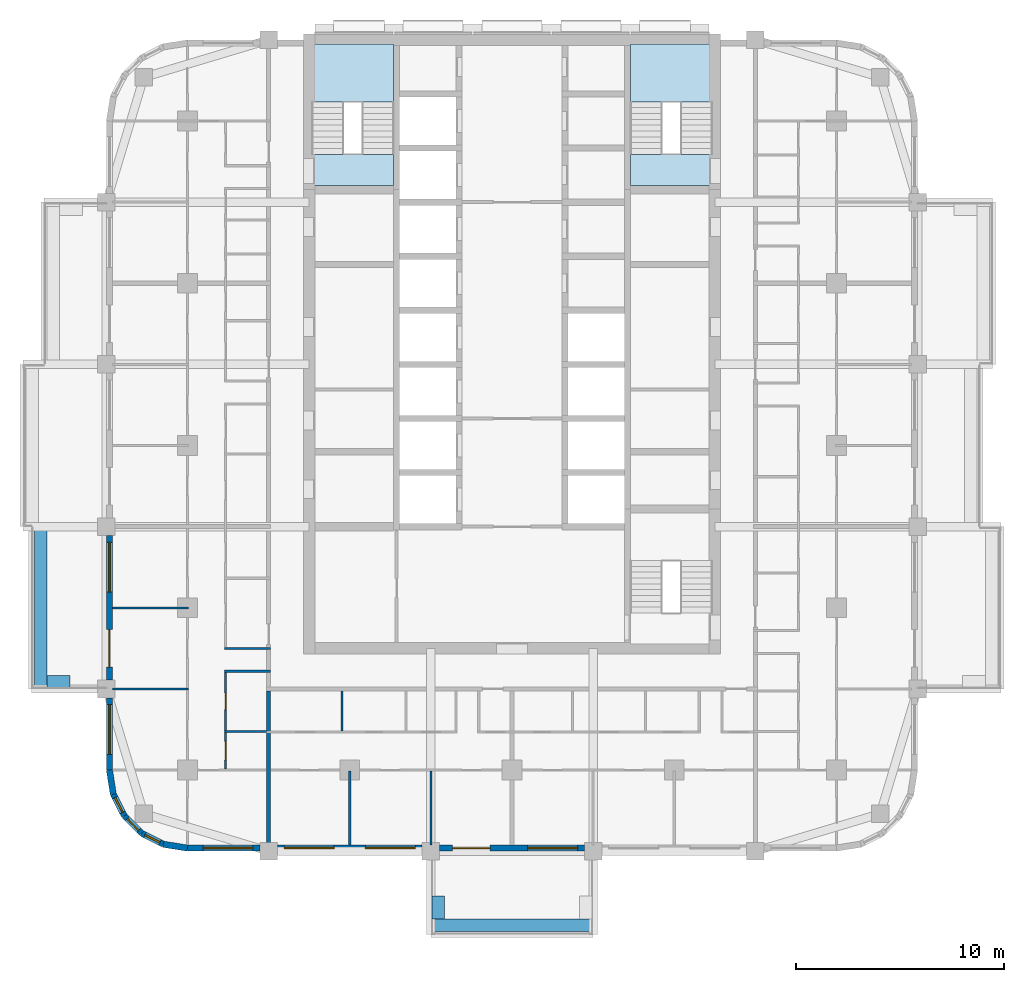
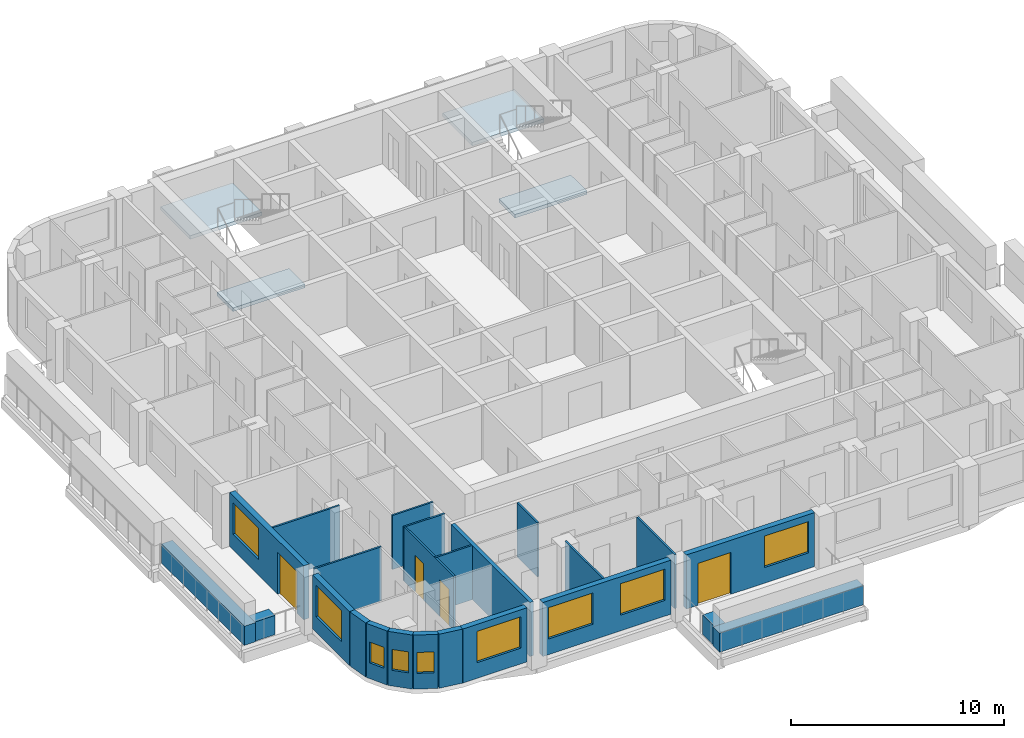
# One storey, part 2 of 14: 24 walls, 9 windows, 4 doors, 4 slabs, 13 openings, 2 elements without a shape of their own.
"""IFC4 building model written with IfcOpenShell, lengths in metres."""

from ifc_helpers import new_model, si_unit, direction, frame, frame_2d, origin, place, context, subcontext, project, spatial, polyline, rectangle, outline, extrude, material, layer, layer_set, type_object, element, fill, aggregate, save


model = new_model("IFC4")

# Units and contexts
model_context = context("Model", 3, precision=1e-05, world=origin(), true_north=direction((0.0, 1.0)))
body_context = subcontext(model_context, "Body", "Model", "MODEL_VIEW")
ifc_project = project(units=[si_unit("LENGTHUNIT", "METRE"), si_unit("AREAUNIT", "SQUARE_METRE"), si_unit("VOLUMEUNIT", "CUBIC_METRE"), si_unit("PLANEANGLEUNIT", "RADIAN"), si_unit("MASSUNIT", "GRAM", prefix="KILO")], contexts=[model_context])

# Site, building, storey
site_placement = place(None, origin())
site = spatial("IfcSite", under=ifc_project, at=site_placement, CompositionType="ELEMENT")
building_placement = place(site_placement, origin())
building = spatial("IfcBuilding", under=site, at=building_placement, Name="Ludao Terraces", CompositionType="ELEMENT")
storey_placement = place(building_placement, frame((0.0, 0.0, 113.5)))
storey = spatial("IfcBuildingStorey", under=building, at=storey_placement, Name="L31", CompositionType="ELEMENT", Elevation=113.5)

# Stair, slabs
ifc_material_1 = material(Name="Concrete C40", Category="concrete")
stair_type = type_object("IfcStairType", Name="INT Stair", PredefinedType="HALF_TURN_STAIR", material=ifc_material_1)
stair_1_placement = place(storey_placement, origin())
stair_1 = element("IfcStair", 1, at=stair_1_placement, inside=storey, type_object=stair_type, Name="EXIT STAIR 1", PredefinedType="HALF_TURN_STAIR")
ifc_layer_1 = layer(ifc_material_1, 0.199951171875)
ifc_layer_set_1 = layer_set([ifc_layer_1], Name="INT Stair landing 200")
slab_type = type_object("IfcSlabType", Name="INT Stair landing 200", PredefinedType="LANDING", material=ifc_layer_set_1)
slab_1_placement = place(storey_placement, frame((0.0, 0.0, 1.5)))
slab_1 = element("IfcSlab", 2, at=slab_1_placement, type_object=slab_type, Name="ST1 landing 1", PredefinedType="LANDING", context=body_context, shape_type="SweptSolid", body=[
    extrude(outline(polyline([(75.39990234375, 81.52001953125), (79.300048828125, 81.52001953125), (79.300048828125, 84.300048828125), (75.39990234375, 84.300048828125), (75.39990234375, 81.52001953125)])), origin(), (0.0, 0.0, 1.0), 0.199951171875),
])
slab_2_placement = place(storey_placement, frame((0.0, 0.0, -0.199951171875)))
slab_2 = element("IfcSlab", 3, at=slab_2_placement, type_object=slab_type, Name="ST1 landing 2", PredefinedType="LANDING", context=body_context, shape_type="SweptSolid", body=[
    extrude(outline(polyline([(75.39990234375, 77.5), (79.300048828125, 77.5), (79.300048828125, 79.0), (75.39990234375, 79.0), (75.39990234375, 77.5)])), origin(), (0.0, 0.0, 1.0), 0.199951171875),
])
aggregate(stair_1, [slab_1, slab_2])

stair_2_placement = place(storey_placement, origin())
stair_2 = element("IfcStair", 4, at=stair_2_placement, inside=storey, type_object=stair_type, Name="EXIT STAIR 2", PredefinedType="HALF_TURN_STAIR")
slab_3_placement = place(storey_placement, frame((0.0, 0.0, 1.5)))
slab_3 = element("IfcSlab", 5, at=slab_3_placement, type_object=slab_type, Name="ST2 landing 1", PredefinedType="LANDING", context=body_context, shape_type="SweptSolid", body=[
    extrude(outline(polyline([(90.699951171875, 81.52001953125), (94.60009765625, 81.52001953125), (94.60009765625, 84.300048828125), (90.699951171875, 84.300048828125), (90.699951171875, 81.52001953125)])), origin(), (0.0, 0.0, 1.0), 0.199951171875),
])
slab_4_placement = place(storey_placement, frame((0.0, 0.0, -0.199951171875)))
slab_4 = element("IfcSlab", 6, at=slab_4_placement, type_object=slab_type, Name="ST2 landing 2", PredefinedType="LANDING", context=body_context, shape_type="SweptSolid", body=[
    extrude(outline(polyline([(90.699951171875, 77.5), (94.60009765625, 77.5), (94.60009765625, 79.0), (90.699951171875, 79.0), (90.699951171875, 77.5)])), origin(), (0.0, 0.0, 1.0), 0.199951171875),
])
aggregate(stair_2, [slab_3, slab_4])

# Walls
ifc_layer_2 = layer(ifc_material_1, 0.60009765625)
ifc_layer_set_2 = layer_set([ifc_layer_2], Name="ENV Planter trough 600")
wall_type_1 = type_object("IfcWallType", Name="ENV Planter trough 600", PredefinedType="USERDEFINED", material=ifc_layer_set_2)
wall_1_placement = place(storey_placement, frame((81.10009765625, 41.949951171875, 0.0), z_axis=(0.0, 0.0, 1.0), x_axis=(1.0, 0.0, 0.0)))
element("IfcWall", 7, at=wall_1_placement, inside=storey, type_object=wall_type_1, Name="PL-L31-S1", ObjectType="PLANTER", PredefinedType="USERDEFINED", context=body_context, shape_type="SweptSolid", body=[
    extrude(rectangle(XDim=7.7998046875, YDim=0.60009765625, at=frame_2d((3.89990234375, 0.0))), origin(), (0.0, 0.0, 1.0), 1.10009765625),
])
wall_2_placement = place(storey_placement, frame((81.449951171875, 42.25, 0.0), z_axis=(0.0, 0.0, 1.0), x_axis=(0.0, 1.0, 0.0)))
element("IfcWall", 8, at=wall_2_placement, inside=storey, type_object=wall_type_1, Name="PL-L31-S1-SA", ObjectType="PLANTER", PredefinedType="USERDEFINED", context=body_context, shape_type="SweptSolid", body=[
    extrude(rectangle(XDim=1.10009765625, YDim=0.60009765625, at=frame_2d((0.550048828125, 0.0))), origin(), (0.0, 0.0, 1.0), 1.10009765625),
])
wall_3_placement = place(storey_placement, frame((62.35009765625, 53.300048828125, 0.0), z_axis=(0.0, 0.0, 1.0), x_axis=(0.0, 1.0, 0.0)))
element("IfcWall", 9, at=wall_3_placement, inside=storey, type_object=wall_type_1, Name="PL-L31-W1", ObjectType="PLANTER", PredefinedType="USERDEFINED", context=body_context, shape_type="SweptSolid", body=[
    extrude(rectangle(XDim=7.800048828125, YDim=0.60009765625, at=frame_2d((3.89990234375, 0.0))), origin(), (0.0, 0.0, 1.0), 1.10009765625),
])
wall_4_placement = place(storey_placement, frame((62.64990234375, 53.64990234375, 0.0), z_axis=(0.0, 0.0, 1.0), x_axis=(1.0, 0.0, 0.0)))
element("IfcWall", 10, at=wall_4_placement, inside=storey, type_object=wall_type_1, Name="PL-L31-W1-SA", ObjectType="PLANTER", PredefinedType="USERDEFINED", context=body_context, shape_type="SweptSolid", body=[
    extrude(rectangle(XDim=1.10009765625, YDim=0.60009765625, at=frame_2d((0.550048828125, 0.0))), origin(), (0.0, 0.0, 1.0), 1.10009765625),
])

# Wall, opening, window
ifc_material_2 = material(Name="Granite cladding", Category="masonry")
ifc_layer_3 = layer(ifc_material_2, 0.0400390625, Category="stone")
ifc_material_3 = material(Name="Mineral wool")
ifc_layer_4 = layer(ifc_material_3, 0.06005859375)
ifc_layer_5 = layer(ifc_material_1, 0.199951171875, Category="concrete")
ifc_layer_set_3 = layer_set([ifc_layer_3, ifc_layer_4, ifc_layer_5], Name="ENV Stone-clad wall 300")
wall_type_2 = type_object("IfcWallType", Name="ENV Stone-clad wall 300", PredefinedType="SOLIDWALL", material=ifc_layer_set_3)
wall_5_placement = place(storey_placement, frame((69.39990234375, 45.64990234375, 0.0), z_axis=(0.0, 0.0, 1.0), x_axis=(1.0, 0.0, 0.0)))
wall_5 = element("IfcWall", 11, at=wall_5_placement, inside=storey, type_object=wall_type_2, Name="EW-L31-S1", PredefinedType="SOLIDWALL", context=body_context, shape_type="SweptSolid", body=[
    extrude(rectangle(XDim=3.47509765625, YDim=0.300048828125, at=frame_2d((1.737548828125, 0.0))), origin(), (0.0, 0.0, 1.0), 3.10009765625),
])
opening_1_placement = place(wall_5_placement, frame((0.75, 0.0, 0.89990234375)))
opening_1 = element("IfcOpeningElement", 12, at=opening_1_placement, cuts=wall_5, Name="Opening W1", PredefinedType="OPENING", context=body_context, shape_type="SweptSolid", body=[
    extrude(rectangle(XDim=2.39990234375, YDim=1.800048828125, at=frame_2d((1.199951171875, 0.89990234375))), frame((0.0, 0.16015625, 0.0), z_axis=(0.0, -1.0, 0.0), x_axis=(1.0, 0.0, 0.0)), (0.0, 0.0, 1.0), 0.320068359375),
])
ifc_material_4 = material(Name="Clear glass in aluminium frame", Category="aluminium")
ifc_layer_6 = layer(ifc_material_4, 0.06005859375)
ifc_layer_set_4 = layer_set([ifc_layer_6], Name="ENV Window W1 2400x1800")
window_type_1 = type_object("IfcWindowType", Name="ENV Window W1 2400x1800", PartitioningType="DOUBLE_PANEL_VERTICAL", PredefinedType="WINDOW", material=ifc_layer_set_4)
window_1_placement = place(opening_1_placement, origin())
window_1 = element("IfcWindow", 13, at=window_1_placement, inside=storey, type_object=window_type_1, Name="W-L31-S1-1", OverallHeight=1.800048828125, OverallWidth=2.39990234375, PartitioningType="DOUBLE_PANEL_VERTICAL", PredefinedType="WINDOW", context=body_context, shape_type="SweptSolid", body=[
    extrude(rectangle(XDim=2.39990234375, YDim=1.800048828125, at=frame_2d((1.199951171875, 0.89990234375))), frame((0.0, 0.030029296875, 0.0), z_axis=(0.0, -1.0, 0.0), x_axis=(1.0, 0.0, 0.0)), (0.0, 0.0, 1.0), 0.06005859375),
])
fill(opening_1, window_1)

# Wall, openings, windows
wall_6_placement = place(storey_placement, frame((73.72509765625, 45.64990234375, 0.0), z_axis=(0.0, 0.0, 1.0), x_axis=(1.0, 0.0, 0.0)))
wall_6 = element("IfcWall", 14, at=wall_6_placement, inside=storey, type_object=wall_type_2, Name="EW-L31-S2", PredefinedType="SOLIDWALL", context=body_context, shape_type="SweptSolid", body=[
    extrude(rectangle(XDim=6.949951171875, YDim=0.300048828125, at=frame_2d((3.47509765625, 0.0))), origin(), (0.0, 0.0, 1.0), 3.10009765625),
])
opening_2_placement = place(wall_6_placement, frame((0.324951171875, 0.0, 0.89990234375)))
opening_2 = element("IfcOpeningElement", 15, at=opening_2_placement, cuts=wall_6, Name="Opening W1", PredefinedType="OPENING", context=body_context, shape_type="SweptSolid", body=[
    extrude(rectangle(XDim=2.39990234375, YDim=1.800048828125, at=frame_2d((1.199951171875, 0.89990234375))), frame((0.0, 0.16015625, 0.0), z_axis=(0.0, -1.0, 0.0), x_axis=(1.0, 0.0, 0.0)), (0.0, 0.0, 1.0), 0.320068359375),
])
opening_3_placement = place(wall_6_placement, frame((4.22509765625, 0.0, 0.89990234375)))
opening_3 = element("IfcOpeningElement", 16, at=opening_3_placement, cuts=wall_6, Name="Opening W1", PredefinedType="OPENING", context=body_context, shape_type="SweptSolid", body=[
    extrude(rectangle(XDim=2.39990234375, YDim=1.800048828125, at=frame_2d((1.199951171875, 0.89990234375))), frame((0.0, 0.16015625, 0.0), z_axis=(0.0, -1.0, 0.0), x_axis=(1.0, 0.0, 0.0)), (0.0, 0.0, 1.0), 0.320068359375),
])
window_2_placement = place(opening_2_placement, origin())
window_2 = element("IfcWindow", 17, at=window_2_placement, inside=storey, type_object=window_type_1, Name="W-L31-S2-1", OverallHeight=1.800048828125, OverallWidth=2.39990234375, PartitioningType="DOUBLE_PANEL_VERTICAL", PredefinedType="WINDOW", context=body_context, shape_type="SweptSolid", body=[
    extrude(rectangle(XDim=2.39990234375, YDim=1.800048828125, at=frame_2d((1.199951171875, 0.89990234375))), frame((0.0, 0.030029296875, 0.0), z_axis=(0.0, -1.0, 0.0), x_axis=(1.0, 0.0, 0.0)), (0.0, 0.0, 1.0), 0.06005859375),
])
fill(opening_2, window_2)
window_3_placement = place(opening_3_placement, origin())
window_3 = element("IfcWindow", 18, at=window_3_placement, inside=storey, type_object=window_type_1, Name="W-L31-S2-2", OverallHeight=1.800048828125, OverallWidth=2.39990234375, PartitioningType="DOUBLE_PANEL_VERTICAL", PredefinedType="WINDOW", context=body_context, shape_type="SweptSolid", body=[
    extrude(rectangle(XDim=2.39990234375, YDim=1.800048828125, at=frame_2d((1.199951171875, 0.89990234375))), frame((0.0, 0.030029296875, 0.0), z_axis=(0.0, -1.0, 0.0), x_axis=(1.0, 0.0, 0.0)), (0.0, 0.0, 1.0), 0.06005859375),
])
fill(opening_3, window_3)

# Wall, openings, door, window
wall_7_placement = place(storey_placement, frame((81.52490234375, 45.64990234375, 0.0), z_axis=(0.0, 0.0, 1.0), x_axis=(1.0, 0.0, 0.0)))
wall_7 = element("IfcWall", 19, at=wall_7_placement, inside=storey, type_object=wall_type_2, Name="EW-L31-S3", PredefinedType="SOLIDWALL", context=body_context, shape_type="SweptSolid", body=[
    extrude(rectangle(XDim=6.9501953125, YDim=0.300048828125, at=frame_2d((3.47509765625, 0.0))), origin(), (0.0, 0.0, 1.0), 3.10009765625),
])
opening_4_placement = place(wall_7_placement, frame((0.625, 0.0, 0.0)))
opening_4 = element("IfcOpeningElement", 20, at=opening_4_placement, cuts=wall_7, Name="Opening BD", PredefinedType="OPENING", context=body_context, shape_type="SweptSolid", body=[
    extrude(rectangle(XDim=1.800048828125, YDim=2.39990234375, at=frame_2d((0.89990234375, 1.199951171875))), frame((0.0, 0.16015625, 0.0), z_axis=(0.0, -1.0, 0.0), x_axis=(1.0, 0.0, 0.0)), (0.0, 0.0, 1.0), 0.320068359375),
])
opening_5_placement = place(wall_7_placement, frame((4.22509765625, 0.0, 0.89990234375)))
opening_5 = element("IfcOpeningElement", 21, at=opening_5_placement, cuts=wall_7, Name="Opening W1", PredefinedType="OPENING", context=body_context, shape_type="SweptSolid", body=[
    extrude(rectangle(XDim=2.39990234375, YDim=1.800048828125, at=frame_2d((1.199951171875, 0.89990234375))), frame((0.0, 0.16015625, 0.0), z_axis=(0.0, -1.0, 0.0), x_axis=(1.0, 0.0, 0.0)), (0.0, 0.0, 1.0), 0.320068359375),
])
ifc_material_5 = material(Name="Aluminium glazed door", Category="aluminium")
ifc_layer_7 = layer(ifc_material_5, 0.06005859375)
ifc_layer_set_5 = layer_set([ifc_layer_7], Name="ENV Balcony door BD 1800x2400")
door_type_1 = type_object("IfcDoorType", Name="ENV Balcony door BD 1800x2400", OperationType="DOUBLE_DOOR_SINGLE_SWING", PredefinedType="DOOR", material=ifc_layer_set_5)
door_1_placement = place(opening_4_placement, origin())
door_1 = element("IfcDoor", 22, at=door_1_placement, inside=storey, type_object=door_type_1, Name="BD-L31-S3-1", OperationType="DOUBLE_DOOR_SINGLE_SWING", OverallHeight=2.39990234375, OverallWidth=1.800048828125, PredefinedType="DOOR", context=body_context, shape_type="SweptSolid", body=[
    extrude(rectangle(XDim=1.800048828125, YDim=2.39990234375, at=frame_2d((0.89990234375, 1.199951171875))), frame((0.0, 0.02490234375, 0.0), z_axis=(0.0, -1.0, 0.0), x_axis=(1.0, 0.0, 0.0)), (0.0, 0.0, 1.0), 0.050048828125),
])
fill(opening_4, door_1)
window_4_placement = place(opening_5_placement, origin())
window_4 = element("IfcWindow", 23, at=window_4_placement, inside=storey, type_object=window_type_1, Name="W-L31-S3-2", OverallHeight=1.800048828125, OverallWidth=2.39990234375, PartitioningType="DOUBLE_PANEL_VERTICAL", PredefinedType="WINDOW", context=body_context, shape_type="SweptSolid", body=[
    extrude(rectangle(XDim=2.39990234375, YDim=1.800048828125, at=frame_2d((1.199951171875, 0.89990234375))), frame((0.0, 0.030029296875, 0.0), z_axis=(0.0, -1.0, 0.0), x_axis=(1.0, 0.0, 0.0)), (0.0, 0.0, 1.0), 0.06005859375),
])
fill(opening_5, window_4)

# Wall, opening, window
wall_8_placement = place(storey_placement, frame((65.64990234375, 49.39990234375, 0.0), z_axis=(0.0, 0.0, 1.0), x_axis=(0.0, 1.0, 0.0)))
wall_8 = element("IfcWall", 24, at=wall_8_placement, inside=storey, type_object=wall_type_2, Name="EW-L31-W1", PredefinedType="SOLIDWALL", context=body_context, shape_type="SweptSolid", body=[
    extrude(rectangle(XDim=3.47509765625, YDim=0.300048828125, at=frame_2d((1.737548828125, 0.0))), origin(), (0.0, 0.0, 1.0), 3.10009765625),
])
opening_6_placement = place(wall_8_placement, frame((0.75, 0.0, 0.89990234375)))
opening_6 = element("IfcOpeningElement", 25, at=opening_6_placement, cuts=wall_8, Name="Opening W1", PredefinedType="OPENING", context=body_context, shape_type="SweptSolid", body=[
    extrude(rectangle(XDim=2.39990234375, YDim=1.800048828125, at=frame_2d((1.199951171875, 0.89990234375))), frame((0.0, 0.16015625, 0.0), z_axis=(0.0, -1.0, 0.0), x_axis=(1.0, 0.0, 0.0)), (0.0, 0.0, 1.0), 0.320068359375),
])
window_5_placement = place(opening_6_placement, origin())
window_5 = element("IfcWindow", 26, at=window_5_placement, inside=storey, type_object=window_type_1, Name="W-L31-W1-1", OverallHeight=1.800048828125, OverallWidth=2.39990234375, PartitioningType="DOUBLE_PANEL_VERTICAL", PredefinedType="WINDOW", context=body_context, shape_type="SweptSolid", body=[
    extrude(rectangle(XDim=2.39990234375, YDim=1.800048828125, at=frame_2d((1.199951171875, 0.89990234375))), frame((0.0, 0.030029296875, 0.0), z_axis=(0.0, -1.0, 0.0), x_axis=(1.0, 0.0, 0.0)), (0.0, 0.0, 1.0), 0.06005859375),
])
fill(opening_6, window_5)

# Wall, openings, door, window
wall_9_placement = place(storey_placement, frame((65.64990234375, 53.72509765625, 0.0), z_axis=(0.0, 0.0, 1.0), x_axis=(0.0, 1.0, 0.0)))
wall_9 = element("IfcWall", 27, at=wall_9_placement, inside=storey, type_object=wall_type_2, Name="EW-L31-W2", PredefinedType="SOLIDWALL", context=body_context, shape_type="SweptSolid", body=[
    extrude(rectangle(XDim=6.949951171875, YDim=0.300048828125, at=frame_2d((3.47509765625, 0.0))), origin(), (0.0, 0.0, 1.0), 3.10009765625),
])
opening_7_placement = place(wall_9_placement, frame((0.625, 0.0, 0.0)))
opening_7 = element("IfcOpeningElement", 28, at=opening_7_placement, cuts=wall_9, Name="Opening BD", PredefinedType="OPENING", context=body_context, shape_type="SweptSolid", body=[
    extrude(rectangle(XDim=1.800048828125, YDim=2.39990234375, at=frame_2d((0.89990234375, 1.199951171875))), frame((0.0, 0.16015625, 0.0), z_axis=(0.0, -1.0, 0.0), x_axis=(1.0, 0.0, 0.0)), (0.0, 0.0, 1.0), 0.320068359375),
])
opening_8_placement = place(wall_9_placement, frame((4.22509765625, 0.0, 0.89990234375)))
opening_8 = element("IfcOpeningElement", 29, at=opening_8_placement, cuts=wall_9, Name="Opening W1", PredefinedType="OPENING", context=body_context, shape_type="SweptSolid", body=[
    extrude(rectangle(XDim=2.39990234375, YDim=1.800048828125, at=frame_2d((1.199951171875, 0.89990234375))), frame((0.0, 0.16015625, 0.0), z_axis=(0.0, -1.0, 0.0), x_axis=(1.0, 0.0, 0.0)), (0.0, 0.0, 1.0), 0.320068359375),
])
door_2_placement = place(opening_7_placement, origin())
door_2 = element("IfcDoor", 30, at=door_2_placement, inside=storey, type_object=door_type_1, Name="BD-L31-W2-1", OperationType="DOUBLE_DOOR_SINGLE_SWING", OverallHeight=2.39990234375, OverallWidth=1.800048828125, PredefinedType="DOOR", context=body_context, shape_type="SweptSolid", body=[
    extrude(rectangle(XDim=1.800048828125, YDim=2.39990234375, at=frame_2d((0.89990234375, 1.199951171875))), frame((0.0, 0.02490234375, 0.0), z_axis=(0.0, -1.0, 0.0), x_axis=(1.0, 0.0, 0.0)), (0.0, 0.0, 1.0), 0.050048828125),
])
fill(opening_7, door_2)
window_6_placement = place(opening_8_placement, origin())
window_6 = element("IfcWindow", 31, at=window_6_placement, inside=storey, type_object=window_type_1, Name="W-L31-W2-2", OverallHeight=1.800048828125, OverallWidth=2.39990234375, PartitioningType="DOUBLE_PANEL_VERTICAL", PredefinedType="WINDOW", context=body_context, shape_type="SweptSolid", body=[
    extrude(rectangle(XDim=2.39990234375, YDim=1.800048828125, at=frame_2d((1.199951171875, 0.89990234375))), frame((0.0, 0.030029296875, 0.0), z_axis=(0.0, -1.0, 0.0), x_axis=(1.0, 0.0, 0.0)), (0.0, 0.0, 1.0), 0.06005859375),
])
fill(opening_8, window_6)

# Wall
wall_10_placement = place(storey_placement, frame((65.64990234375, 49.39990234375, 0.0), z_axis=(0.0, 0.0, 1.0), x_axis=(0.156496880861, -0.987678452879, 0.0)))
element("IfcWall", 32, at=wall_10_placement, inside=storey, type_object=wall_type_2, Name="EW-L31-SW1", PredefinedType="SOLIDWALL", context=body_context, shape_type="SweptSolid", body=[
    extrude(rectangle(XDim=1.173095703125, YDim=0.300048828125, at=frame_2d((0.58642578125, 0.0))), origin(), (0.0, 0.0, 1.0), 3.10009765625),
])

# Wall, opening, window
wall_11_placement = place(storey_placement, frame((65.83349609375, 48.2412109375, 0.0), z_axis=(0.0, 0.0, 1.0), x_axis=(0.454025524128, -0.890988677504, 0.0)))
wall_11 = element("IfcWall", 33, at=wall_11_placement, inside=storey, type_object=wall_type_2, Name="EW-L31-SW2", PredefinedType="SOLIDWALL", context=body_context, shape_type="SweptSolid", body=[
    extrude(rectangle(XDim=1.17333984375, YDim=0.300048828125, at=frame_2d((0.586669921875, 0.0))), origin(), (0.0, 0.0, 1.0), 3.10009765625),
])
opening_9_placement = place(wall_11_placement, frame((0.1865234375, 0.0, 0.89990234375)))
opening_9 = element("IfcOpeningElement", 34, at=opening_9_placement, cuts=wall_11, Name="Opening W3", PredefinedType="OPENING", context=body_context, shape_type="SweptSolid", body=[
    extrude(rectangle(XDim=0.800048828125, YDim=1.199951171875, at=frame_2d((0.39990234375, 0.60009765625))), frame((0.0, 0.16015625, 0.0), z_axis=(0.0, -1.0, 0.0), x_axis=(1.0, 0.0, 0.0)), (0.0, 0.0, 1.0), 0.320068359375),
])
ifc_layer_8 = layer(ifc_material_4, 0.06005859375)
ifc_layer_set_6 = layer_set([ifc_layer_8], Name="ENV Window W3 800x1200")
window_type_2 = type_object("IfcWindowType", Name="ENV Window W3 800x1200", PartitioningType="SINGLE_PANEL", PredefinedType="WINDOW", material=ifc_layer_set_6)
window_7_placement = place(opening_9_placement, origin())
window_7 = element("IfcWindow", 35, at=window_7_placement, inside=storey, type_object=window_type_2, Name="W-L31-SW2", OverallHeight=1.199951171875, OverallWidth=0.800048828125, PartitioningType="SINGLE_PANEL", PredefinedType="WINDOW", context=body_context, shape_type="SweptSolid", body=[
    extrude(rectangle(XDim=0.800048828125, YDim=1.199951171875, at=frame_2d((0.39990234375, 0.60009765625))), frame((0.0, 0.030029296875, 0.0), z_axis=(0.0, -1.0, 0.0), x_axis=(1.0, 0.0, 0.0)), (0.0, 0.0, 1.0), 0.06005859375),
])
fill(opening_9, window_7)

wall_12_placement = place(storey_placement, frame((66.3662109375, 47.19580078125, 0.0), z_axis=(0.0, 0.0, 1.0), x_axis=(0.707106781187, -0.707106781187, 0.0)))
wall_12 = element("IfcWall", 36, at=wall_12_placement, inside=storey, type_object=wall_type_2, Name="EW-L31-SW3", PredefinedType="SOLIDWALL", context=body_context, shape_type="SweptSolid", body=[
    extrude(rectangle(XDim=1.173095703125, YDim=0.300048828125, at=frame_2d((0.58642578125, 0.0))), origin(), (0.0, 0.0, 1.0), 3.10009765625),
])
opening_10_placement = place(wall_12_placement, frame((0.1865234375, 0.0, 0.89990234375)))
opening_10 = element("IfcOpeningElement", 37, at=opening_10_placement, cuts=wall_12, Name="Opening W3", PredefinedType="OPENING", context=body_context, shape_type="SweptSolid", body=[
    extrude(rectangle(XDim=0.800048828125, YDim=1.199951171875, at=frame_2d((0.39990234375, 0.60009765625))), frame((0.0, 0.16015625, 0.0), z_axis=(0.0, -1.0, 0.0), x_axis=(1.0, 0.0, 0.0)), (0.0, 0.0, 1.0), 0.320068359375),
])
window_8_placement = place(opening_10_placement, origin())
window_8 = element("IfcWindow", 38, at=window_8_placement, inside=storey, type_object=window_type_2, Name="W-L31-SW3", OverallHeight=1.199951171875, OverallWidth=0.800048828125, PartitioningType="SINGLE_PANEL", PredefinedType="WINDOW", context=body_context, shape_type="SweptSolid", body=[
    extrude(rectangle(XDim=0.800048828125, YDim=1.199951171875, at=frame_2d((0.39990234375, 0.60009765625))), frame((0.0, 0.030029296875, 0.0), z_axis=(0.0, -1.0, 0.0), x_axis=(1.0, 0.0, 0.0)), (0.0, 0.0, 1.0), 0.06005859375),
])
fill(opening_10, window_8)

wall_13_placement = place(storey_placement, frame((67.19580078125, 46.3662109375, 0.0), z_axis=(0.0, 0.0, 1.0), x_axis=(0.890988677504, -0.454025524128, 0.0)))
wall_13 = element("IfcWall", 39, at=wall_13_placement, inside=storey, type_object=wall_type_2, Name="EW-L31-SW4", PredefinedType="SOLIDWALL", context=body_context, shape_type="SweptSolid", body=[
    extrude(rectangle(XDim=1.17333984375, YDim=0.300048828125, at=frame_2d((0.586669921875, 0.0))), origin(), (0.0, 0.0, 1.0), 3.10009765625),
])
opening_11_placement = place(wall_13_placement, frame((0.1865234375, 0.0, 0.89990234375)))
opening_11 = element("IfcOpeningElement", 40, at=opening_11_placement, cuts=wall_13, Name="Opening W3", PredefinedType="OPENING", context=body_context, shape_type="SweptSolid", body=[
    extrude(rectangle(XDim=0.800048828125, YDim=1.199951171875, at=frame_2d((0.39990234375, 0.60009765625))), frame((0.0, 0.16015625, 0.0), z_axis=(0.0, -1.0, 0.0), x_axis=(1.0, 0.0, 0.0)), (0.0, 0.0, 1.0), 0.320068359375),
])
window_9_placement = place(opening_11_placement, origin())
window_9 = element("IfcWindow", 41, at=window_9_placement, inside=storey, type_object=window_type_2, Name="W-L31-SW4", OverallHeight=1.199951171875, OverallWidth=0.800048828125, PartitioningType="SINGLE_PANEL", PredefinedType="WINDOW", context=body_context, shape_type="SweptSolid", body=[
    extrude(rectangle(XDim=0.800048828125, YDim=1.199951171875, at=frame_2d((0.39990234375, 0.60009765625))), frame((0.0, 0.030029296875, 0.0), z_axis=(0.0, -1.0, 0.0), x_axis=(1.0, 0.0, 0.0)), (0.0, 0.0, 1.0), 0.06005859375),
])
fill(opening_11, window_9)

# Walls
wall_14_placement = place(storey_placement, frame((68.2412109375, 45.83349609375, 0.0), z_axis=(0.0, 0.0, 1.0), x_axis=(0.987678452879, -0.156496880861, 0.0)))
element("IfcWall", 42, at=wall_14_placement, inside=storey, type_object=wall_type_2, Name="EW-L31-SW5", PredefinedType="SOLIDWALL", context=body_context, shape_type="SweptSolid", body=[
    extrude(rectangle(XDim=1.173095703125, YDim=0.300048828125, at=frame_2d((0.58642578125, 0.0))), origin(), (0.0, 0.0, 1.0), 3.10009765625),
])
ifc_material_6 = material(Name="Gypsum plasterboard", Category="gypsum")
ifc_layer_9 = layer(ifc_material_6, 0.012451171875, Category="gypsum")
ifc_layer_10 = layer(ifc_material_3, 0.06005859375, Name="insulation")
ifc_material_7 = material(Name="Steel Q235", Category="steel")
ifc_layer_11 = layer(ifc_material_7, 0.014892578125, Name="stud")
ifc_layer_12 = layer(ifc_material_6, 0.012451171875, Category="gypsum")
ifc_layer_set_7 = layer_set([ifc_layer_9, ifc_layer_10, ifc_layer_11, ifc_layer_12], Name="INT Partition 100")
wall_type_3 = type_object("IfcWallType", Name="INT Partition 100", PredefinedType="PARTITIONING", material=ifc_layer_set_7)
wall_15_placement = place(storey_placement, frame((71.18017578125, 51.25, 0.0), z_axis=(0.0, 0.0, 1.0), x_axis=(1.0, 0.0, 0.0)))
element("IfcWall", 43, at=wall_15_placement, inside=storey, type_object=wall_type_3, Name="PW-L31-PW004", PredefinedType="PARTITIONING", context=body_context, shape_type="SweptSolid", body=[
    extrude(rectangle(XDim=2.02001953125, YDim=0.10009765625, at=frame_2d((1.010009765625, 0.0))), origin(), (0.0, 0.0, 1.0), 3.10009765625),
])
wall_16_placement = place(storey_placement, frame((65.800048828125, 53.300048828125, 0.0), z_axis=(0.0, 0.0, 1.0), x_axis=(1.0, 0.0, 0.0)))
element("IfcWall", 44, at=wall_16_placement, inside=storey, type_object=wall_type_3, Name="PW-L31-PW007", PredefinedType="PARTITIONING", context=body_context, shape_type="SweptSolid", body=[
    extrude(rectangle(XDim=3.650146484375, YDim=0.10009765625, at=frame_2d((1.8251953125, 0.0))), origin(), (0.0, 0.0, 1.0), 3.10009765625),
])
for number, where, z_axis, x_axis, name in (
    (45, (71.18017578125, 54.14990234375, 0.0), (0.0, 0.0, 1.0), (1.0, 0.0, 0.0), "PW-L31-PW010"),
    (46, (71.18017578125, 55.25, 0.0), (0.0, 0.0, 1.0), (1.0, 0.0, 0.0), "PW-L31-PW012"),
):
    element("IfcWall", number, at=place(storey_placement, frame(where, z_axis=z_axis, x_axis=x_axis)), inside=storey, type_object=wall_type_3, Name=name, PredefinedType="PARTITIONING", context=body_context, shape_type="SweptSolid", body=[
        extrude(rectangle(XDim=2.219970703125, YDim=0.10009765625, at=frame_2d((1.10986328125, 0.0))), origin(), (0.0, 0.0, 1.0), 3.10009765625),
    ])
wall_17_placement = place(storey_placement, frame((65.800048828125, 57.199951171875, 0.0), z_axis=(0.0, 0.0, 1.0), x_axis=(1.0, 0.0, 0.0)))
element("IfcWall", 47, at=wall_17_placement, inside=storey, type_object=wall_type_3, Name="PW-L31-PW014", PredefinedType="PARTITIONING", context=body_context, shape_type="SweptSolid", body=[
    extrude(rectangle(XDim=3.650146484375, YDim=0.10009765625, at=frame_2d((1.8251953125, 0.0))), origin(), (0.0, 0.0, 1.0), 3.10009765625),
])

# Wall, openings, doors
wall_18_placement = place(storey_placement, frame((71.22998046875, 49.4501953125, 0.0), z_axis=(0.0, 0.0, 1.0), x_axis=(0.0, 1.0, 0.0)))
wall_18 = element("IfcWall", 48, at=wall_18_placement, inside=storey, type_object=wall_type_3, Name="PW-L31-PW051", PredefinedType="PARTITIONING", context=body_context, shape_type="SweptSolid", body=[
    extrude(rectangle(XDim=4.64990234375, YDim=0.10009765625, at=frame_2d((2.324951171875, 0.0))), origin(), (0.0, 0.0, 1.0), 3.10009765625),
])
opening_12_placement = place(wall_18_placement, frame((0.4248046875, 0.0, 0.0)))
opening_12 = element("IfcOpeningElement", 49, at=opening_12_placement, cuts=wall_18, Name="Opening R09-011", PredefinedType="OPENING", context=body_context, shape_type="SweptSolid", body=[
    extrude(rectangle(XDim=0.89990234375, YDim=2.10009765625, at=frame_2d((0.449951171875, 1.050048828125))), frame((0.0, 0.06005859375, 0.0), z_axis=(0.0, -1.0, 0.0), x_axis=(1.0, 0.0, 0.0)), (0.0, 0.0, 1.0), 0.1201171875),
])
opening_13_placement = place(wall_18_placement, frame((2.849853515625, 0.0, 0.0)))
opening_13 = element("IfcOpeningElement", 50, at=opening_13_placement, cuts=wall_18, Name="Opening R09-024", PredefinedType="OPENING", context=body_context, shape_type="SweptSolid", body=[
    extrude(rectangle(XDim=0.800048828125, YDim=2.10009765625, at=frame_2d((0.39990234375, 1.050048828125))), frame((0.0, 0.06005859375, 0.0), z_axis=(0.0, -1.0, 0.0), x_axis=(1.0, 0.0, 0.0)), (0.0, 0.0, 1.0), 0.1201171875),
])
ifc_material_8 = material(Name="Timber door leaf", Category="wood")
door_type_2 = type_object("IfcDoorType", Name="INT Bathroom door 900", OperationType="SINGLE_SWING_LEFT", PredefinedType="DOOR", material=ifc_material_8)
door_3_placement = place(opening_12_placement, origin())
door_3 = element("IfcDoor", 51, at=door_3_placement, inside=storey, type_object=door_type_2, Name="DOOR 011", OperationType="SINGLE_SWING_RIGHT", OverallHeight=2.10009765625, OverallWidth=0.89990234375, PredefinedType="DOOR", context=body_context, shape_type="SweptSolid", body=[
    extrude(rectangle(XDim=0.89990234375, YDim=2.10009765625, at=frame_2d((0.449951171875, 1.050048828125))), frame((0.0, 0.02490234375, 0.0), z_axis=(0.0, -1.0, 0.0), x_axis=(1.0, 0.0, 0.0)), (0.0, 0.0, 1.0), 0.050048828125),
])
fill(opening_12, door_3)
door_type_3 = type_object("IfcDoorType", Name="INT Store door 800", OperationType="SINGLE_SWING_LEFT", PredefinedType="DOOR", material=ifc_material_8)
door_4_placement = place(opening_13_placement, origin())
door_4 = element("IfcDoor", 52, at=door_4_placement, inside=storey, type_object=door_type_3, Name="DOOR 024", OperationType="SINGLE_SWING_RIGHT", OverallHeight=2.10009765625, OverallWidth=0.800048828125, PredefinedType="DOOR", context=body_context, shape_type="SweptSolid", body=[
    extrude(rectangle(XDim=0.800048828125, YDim=2.10009765625, at=frame_2d((0.39990234375, 1.050048828125))), frame((0.0, 0.02490234375, 0.0), z_axis=(0.0, -1.0, 0.0), x_axis=(1.0, 0.0, 0.0)), (0.0, 0.0, 1.0), 0.050048828125),
])
fill(opening_13, door_4)

# Walls
wall_19_placement = place(storey_placement, frame((76.820068359375, 51.280029296875, 0.0), z_axis=(0.0, 0.0, 1.0), x_axis=(0.0, 1.0, 0.0)))
element("IfcWall", 53, at=wall_19_placement, inside=storey, type_object=wall_type_3, Name="PW-L31-PW057", PredefinedType="PARTITIONING", context=body_context, shape_type="SweptSolid", body=[
    extrude(rectangle(XDim=1.920166015625, YDim=0.10009765625, at=frame_2d((0.9599609375, 0.0))), origin(), (0.0, 0.0, 1.0), 3.10009765625),
])
for number, where, z_axis, x_axis, name in (
    (54, (77.199951171875, 45.800048828125, 0.0), (0.0, 0.0, 1.0), (0.0, 1.0, 0.0), "PW-L31-PW058"),
    (55, (81.10009765625, 45.800048828125, 0.0), (0.0, 0.0, 1.0), (0.0, 1.0, 0.0), "PW-L31-PW061"),
):
    element("IfcWall", number, at=place(storey_placement, frame(where, z_axis=z_axis, x_axis=x_axis)), inside=storey, type_object=wall_type_3, Name=name, PredefinedType="PARTITIONING", context=body_context, shape_type="SweptSolid", body=[
        extrude(rectangle(XDim=3.550048828125, YDim=0.10009765625, at=frame_2d((1.77490234375, 0.0))), origin(), (0.0, 0.0, 1.0), 3.10009765625),
    ])
ifc_material_9 = material(Name="Autoclaved aerated concrete block B06 A3.5", Category="concrete")
ifc_layer_13 = layer(ifc_material_9, 0.199951171875)
ifc_layer_set_8 = layer_set([ifc_layer_13], Name="INT Party wall 200")
wall_type_4 = type_object("IfcWallType", Name="INT Party wall 200", PredefinedType="PARTITIONING", material=ifc_layer_set_8)
wall_20_placement = place(storey_placement, frame((73.300048828125, 45.800048828125, 0.0), z_axis=(0.0, 0.0, 1.0), x_axis=(0.0, 1.0, 0.0)))
element("IfcWall", 56, at=wall_20_placement, inside=storey, type_object=wall_type_4, Name="PW-L31-PW055", PredefinedType="PARTITIONING", context=body_context, shape_type="SweptSolid", body=[
    extrude(rectangle(XDim=7.400146484375, YDim=0.199951171875, at=frame_2d((3.7001953125, 0.0))), origin(), (0.0, 0.0, 1.0), 3.10009765625),
])

save(model, "model.ifc")
